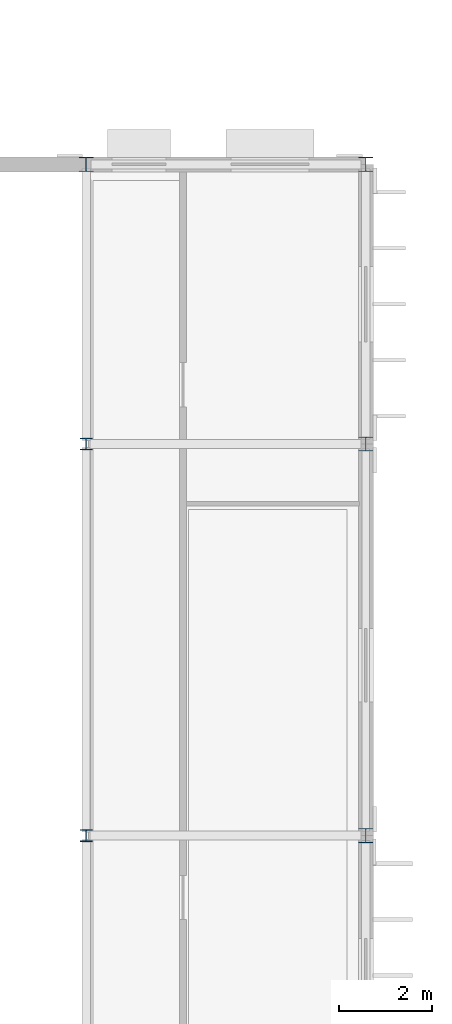
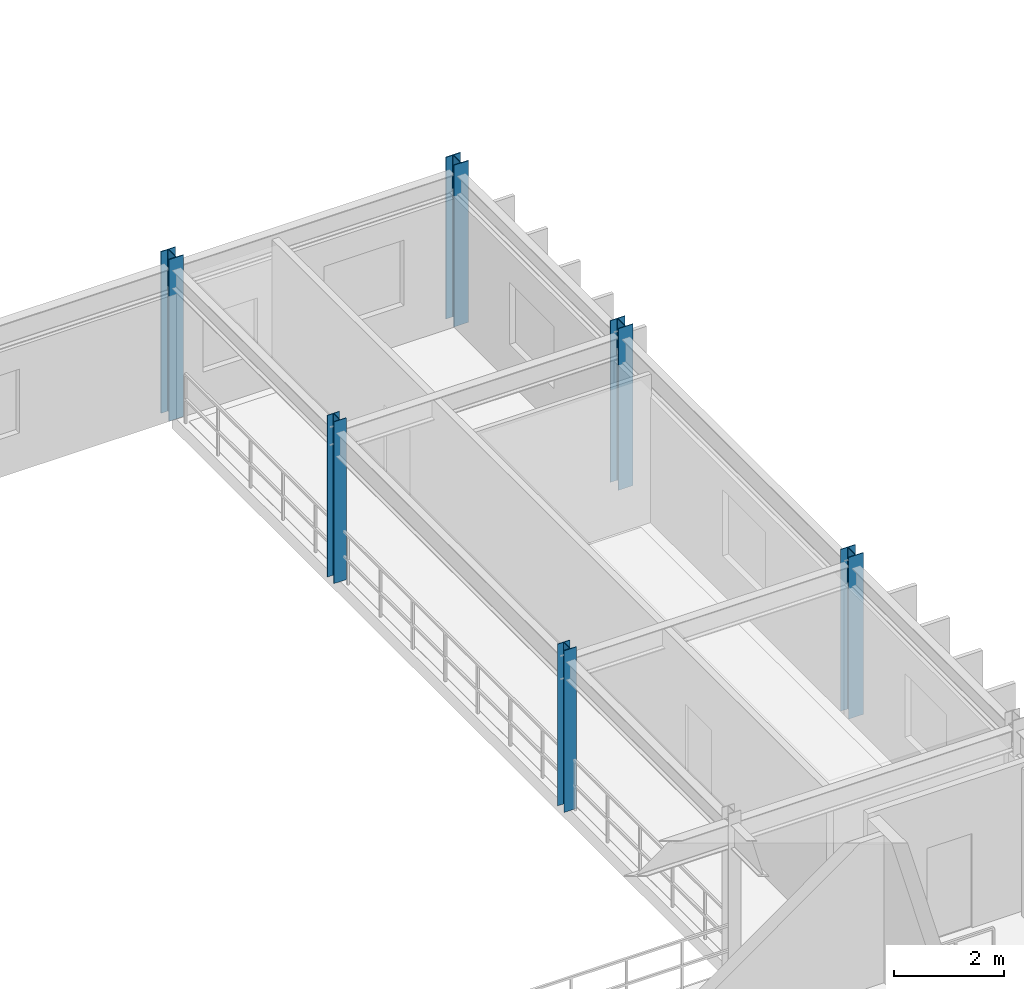
# One storey, part 10 of 88: 6 columns.
"""IFC4 building model written with IfcOpenShell, lengths in metres."""

from ifc_helpers import new_model, si_unit, direction, frame, origin, origin_2d, place, context, subcontext, project, spatial, i_section, extrude, material, material_profile, profile_set, type_object, element, save


model = new_model("IFC4")

# Units and contexts
model_context = context("Model", 3, precision=1e-05, world=origin(), true_north=direction((0.0, 1.0)))
body_context = subcontext(model_context, "Body", "Model", "MODEL_VIEW")
ifc_project = project(units=[si_unit("LENGTHUNIT", "METRE"), si_unit("AREAUNIT", "SQUARE_METRE"), si_unit("VOLUMEUNIT", "CUBIC_METRE"), si_unit("PLANEANGLEUNIT", "RADIAN"), si_unit("MASSUNIT", "GRAM", prefix="KILO"), si_unit("THERMODYNAMICTEMPERATUREUNIT", "KELVIN")], contexts=[model_context])

# Site, building, storey
site_placement = place(None, origin())
site = spatial("IfcSite", under=ifc_project, at=site_placement, CompositionType="ELEMENT")
building_placement = place(site_placement, origin())
building = spatial("IfcBuilding", under=site, at=building_placement, Name="Thalorik Housing Commons", CompositionType="ELEMENT")
storey_placement = place(building_placement, frame((0.0, 0.0, 4.5)))
storey = spatial("IfcBuildingStorey", under=building, at=storey_placement, Name="L01", CompositionType="ELEMENT", Elevation=4.5)

# Columns
ifc_material = material(Name="Steel S355", Category="steel")
ifc_material_profile_1 = material_profile(ifc_material, i_section(OverallWidth=0.260009765625, OverallDepth=0.25390625, WebThickness=0.014404296875, FlangeThickness=0.014404296875, FilletRadius=0.010009765625, at=origin_2d()), Name="HP250x85", Category="steel")
ifc_profile_set_1 = profile_set([ifc_material_profile_1], Name="Steel S355")
column_type_1 = type_object("IfcColumnType", Name="STR-COL-HP250", PredefinedType="COLUMN", material=ifc_profile_set_1)
for number, where, z_axis, x_axis, name in (
    (1, (109.199951171875, 72.0, 0.0), (0.0, 0.0, 1.0), (1.0, 0.0, 0.0), "L01 Column SC-250"),
    (2, (109.199951171875, 80.39990234375, 0.0), (0.0, 0.0, 1.0), (1.0, 0.0, 0.0), "L01 Column SC-250"),
):
    element("IfcColumn", number, at=place(storey_placement, frame(where, z_axis=z_axis, x_axis=x_axis)), inside=storey, type_object=column_type_1, Name=name, PredefinedType="COLUMN", context=body_context, shape_type="SweptSolid", body=[
        extrude(i_section(OverallWidth=0.260009765625, OverallDepth=0.25390625, WebThickness=0.014404296875, FlangeThickness=0.014404296875, FilletRadius=0.010009765625, at=origin_2d()), origin(), (0.0, 0.0, 1.0), 3.60009765625),
    ])
ifc_material_profile_2 = material_profile(ifc_material, i_section(OverallWidth=0.31005859375, OverallDepth=0.30810546875, WebThickness=0.015380859375, FlangeThickness=0.015380859375, FilletRadius=0.011962890625, at=origin_2d()), Name="HP310x110", Category="steel")
ifc_profile_set_2 = profile_set([ifc_material_profile_2], Name="Steel S355")
column_type_2 = type_object("IfcColumnType", Name="STR-COL-HP310", PredefinedType="COLUMN", material=ifc_profile_set_2)
for number, where, z_axis, x_axis, name in (
    (3, (109.199951171875, 86.39990234375, 0.0), (0.0, 0.0, 1.0), (1.0, 0.0, 0.0), "L01 Column SC-310"),
    (4, (115.199951171875, 72.0, 0.0), (0.0, 0.0, 1.0), (1.0, 0.0, 0.0), "L01 Column SC-310"),
    (5, (115.199951171875, 80.39990234375, 0.0), (0.0, 0.0, 1.0), (1.0, 0.0, 0.0), "L01 Column SC-310"),
    (6, (115.199951171875, 86.39990234375, 0.0), (0.0, 0.0, 1.0), (1.0, 0.0, 0.0), "L01 Column SC-310"),
):
    element("IfcColumn", number, at=place(storey_placement, frame(where, z_axis=z_axis, x_axis=x_axis)), inside=storey, type_object=column_type_2, Name=name, PredefinedType="COLUMN", context=body_context, shape_type="SweptSolid", body=[
        extrude(i_section(OverallWidth=0.31005859375, OverallDepth=0.30810546875, WebThickness=0.015380859375, FlangeThickness=0.015380859375, FilletRadius=0.011962890625, at=origin_2d()), origin(), (0.0, 0.0, 1.0), 3.60009765625),
    ])

save(model, "model.ifc")
